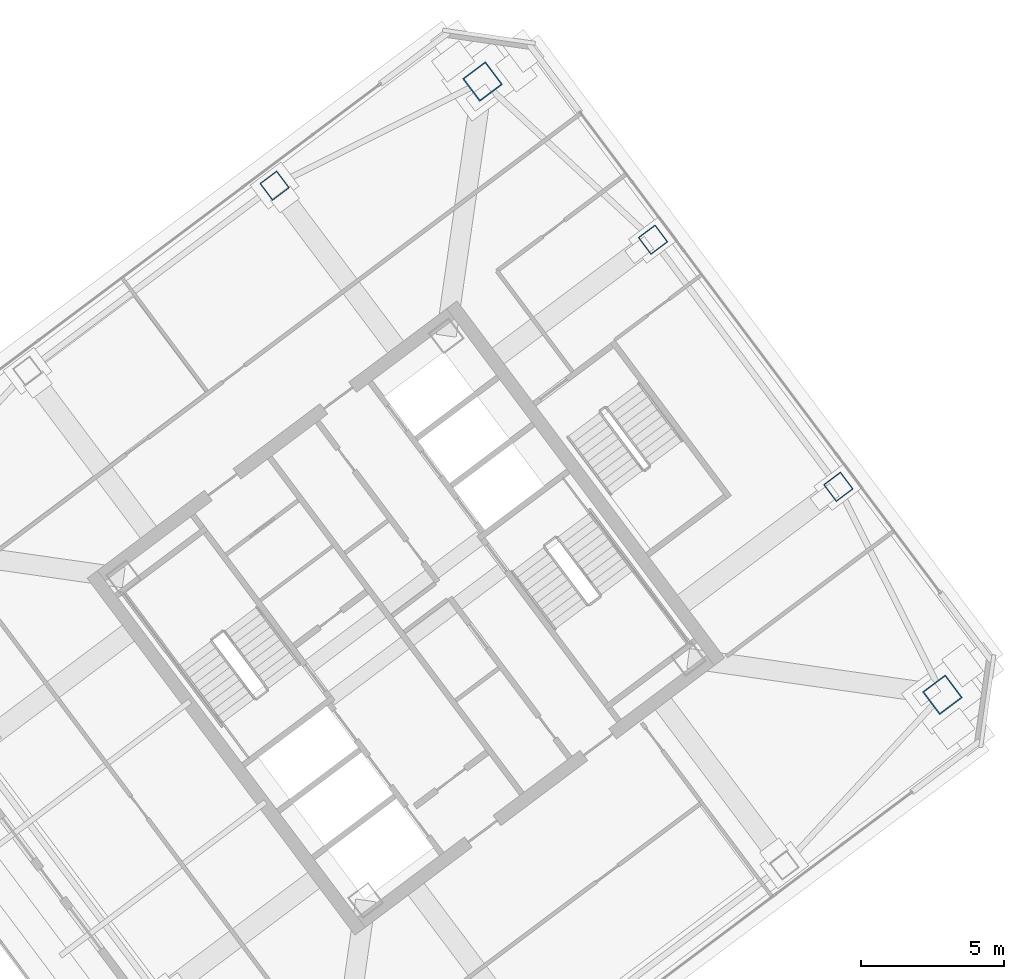
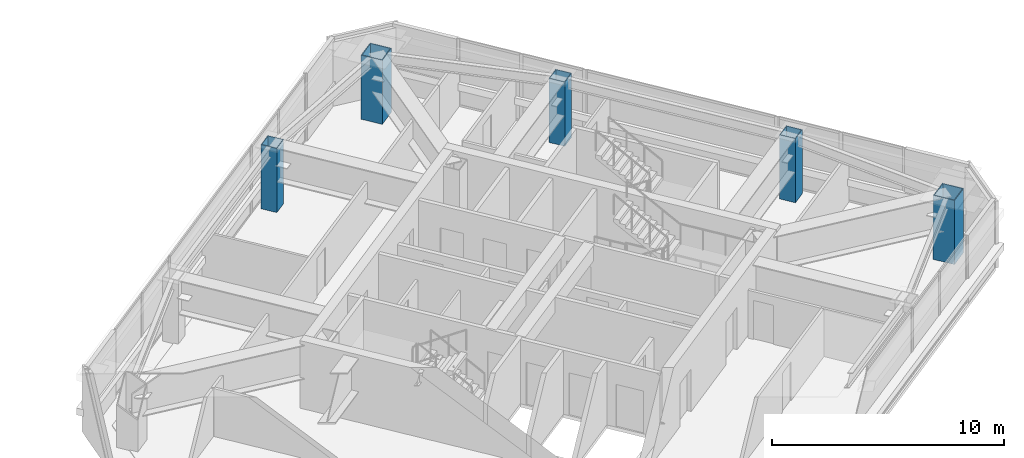
# One storey, part 2 of 40: 5 columns.
"""IFC4 building model written with IfcOpenShell, lengths in metres."""

from ifc_helpers import new_model, si_unit, direction, frame, origin, origin_2d, place, context, subcontext, project, spatial, hollow_rectangle, extrude, material, material_profile, profile_set, type_object, element, save


model = new_model("IFC4")

# Units and contexts
model_context = context("Model", 3, precision=1e-05, world=origin(), true_north=direction((0.0, 1.0)))
body_context = subcontext(model_context, "Body", "Model", "MODEL_VIEW")
ifc_project = project(units=[si_unit("LENGTHUNIT", "METRE"), si_unit("AREAUNIT", "SQUARE_METRE"), si_unit("VOLUMEUNIT", "CUBIC_METRE"), si_unit("PLANEANGLEUNIT", "RADIAN"), si_unit("MASSUNIT", "GRAM", prefix="KILO")], contexts=[model_context])

# Site, building, storey
site_placement = place(None, origin())
site = spatial("IfcSite", under=ifc_project, at=site_placement, CompositionType="ELEMENT")
building_placement = place(site_placement, origin())
building = spatial("IfcBuilding", under=site, at=building_placement, Name="Tashvorn Skyway Center", CompositionType="ELEMENT")
storey_placement = place(building_placement, frame((0.0, 0.0, 229.050048828125)))
storey = spatial("IfcBuildingStorey", under=building, at=storey_placement, Name="L62", CompositionType="ELEMENT", Elevation=229.050048828125)

# Columns
ifc_material = material(Name="Steel ASTM A572 Grade 50", Category="steel")
ifc_material_profile_1 = material_profile(ifc_material, hollow_rectangle(XDim=1.0, YDim=1.0, WallThickness=0.0400390625, at=origin_2d()), Name="BOX1000x1000x40")
ifc_profile_set_1 = profile_set([ifc_material_profile_1], Name="Steel ASTM A572 Grade 50")
column_type_1 = type_object("IfcColumnType", Name="COL-BOX1000x1000x40", PredefinedType="COLUMN", material=ifc_profile_set_1)
for number, where, z_axis, x_axis, name in (
    (1, (132.760009765625, 29.320068359375, 0.0), (0.0, 0.0, 1.0), (0.799999996291, 0.600000004945, 0.0), "Tower 2 L62 Mega-Column MC-SE"),
    (2, (116.679931640625, 50.760009765625, 0.0), (0.0, 0.0, 1.0), (0.799999996291, 0.600000004945, 0.0), "Tower 2 L62 Mega-Column MC-NE"),
):
    element("IfcColumn", number, at=place(storey_placement, frame(where, z_axis=z_axis, x_axis=x_axis)), inside=storey, type_object=column_type_1, Name=name, PredefinedType="COLUMN", context=body_context, shape_type="SweptSolid", body=[
        extrude(hollow_rectangle(XDim=1.0, YDim=1.0, WallThickness=0.0400390625, at=origin_2d()), origin(), (0.0, 0.0, 1.0), 3.369873046875),
    ])
ifc_material_profile_2 = material_profile(ifc_material, hollow_rectangle(XDim=0.75, YDim=0.75, WallThickness=0.031982421875, at=origin_2d()), Name="BOX750x750x32")
ifc_profile_set_2 = profile_set([ifc_material_profile_2], Name="Steel ASTM A572 Grade 50")
column_type_2 = type_object("IfcColumnType", Name="COL-BOX750x750x32", PredefinedType="COLUMN", material=ifc_profile_set_2)
for number, where, z_axis, x_axis, name in (
    (3, (129.1201171875, 36.590087890625, 0.0), (0.0, 0.0, 1.0), (0.799999996291, 0.600000004945, 0.0), "Tower 2 L62 Perimeter Column FC-E1"),
    (4, (122.639892578125, 45.22998046875, 0.0), (0.0, 0.0, 1.0), (0.799999996291, 0.600000004945, 0.0), "Tower 2 L62 Perimeter Column FC-E2"),
    (5, (109.409912109375, 47.1201171875, 0.0), (0.0, 0.0, 1.0), (0.799999996291, 0.600000004945, 0.0), "Tower 2 L62 Perimeter Column FC-N1"),
):
    element("IfcColumn", number, at=place(storey_placement, frame(where, z_axis=z_axis, x_axis=x_axis)), inside=storey, type_object=column_type_2, Name=name, PredefinedType="COLUMN", context=body_context, shape_type="SweptSolid", body=[
        extrude(hollow_rectangle(XDim=0.75, YDim=0.75, WallThickness=0.031982421875, at=origin_2d()), origin(), (0.0, 0.0, 1.0), 3.369873046875),
    ])

save(model, "model.ifc")
